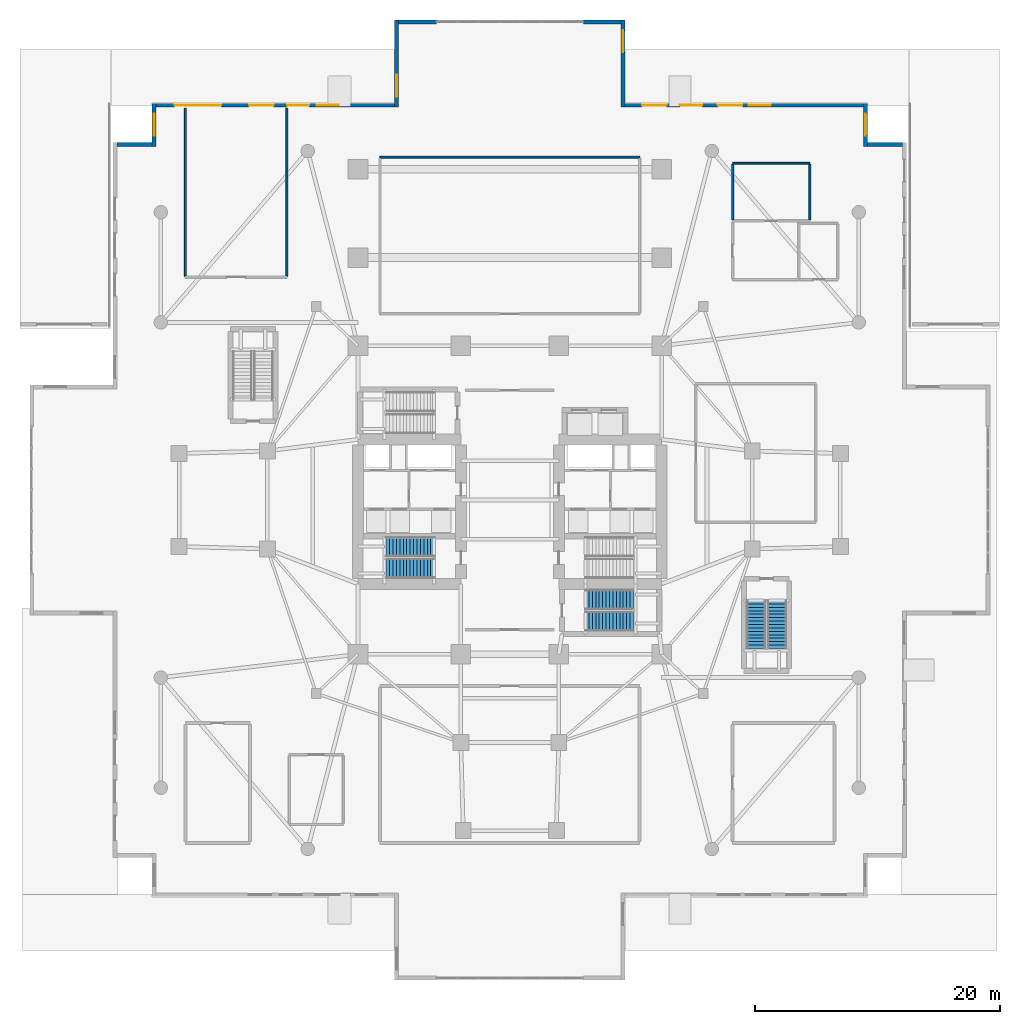
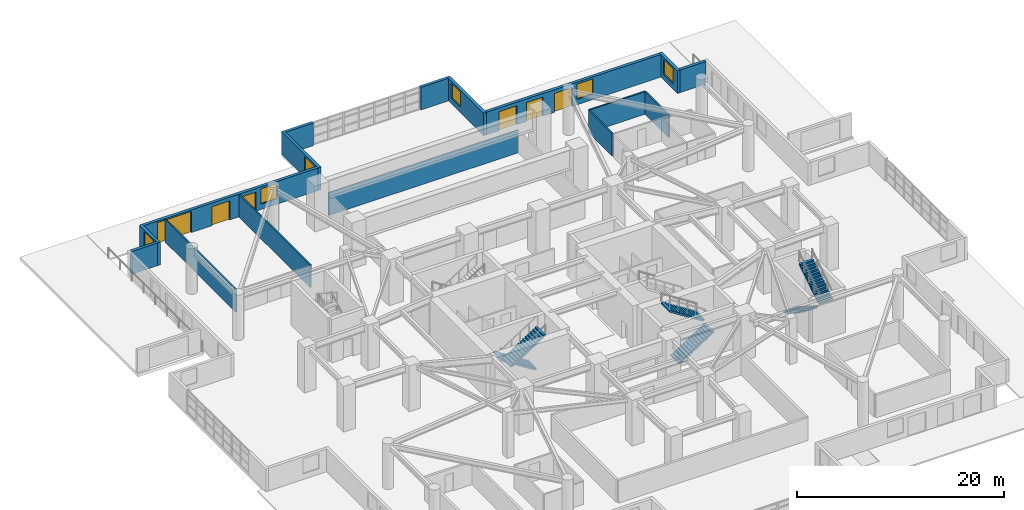
# One storey, part 17 of 24: 16 walls, 6 doors, 6 stair flights, 6 windows, 12 openings, 3 elements without a shape of their own.
"""IFC4 building model written with IfcOpenShell, lengths in metres."""

from ifc_helpers import new_model, si_unit, direction, frame, frame_2d, origin, place, context, subcontext, project, spatial, polyline, rectangle, outline, extrude, material, layer, layer_set, type_object, element, fill, aggregate, save


model = new_model("IFC4")

# Units and contexts
model_context = context("Model", 3, precision=1e-05, world=origin(), true_north=direction((0.0, 1.0)))
body_context = subcontext(model_context, "Body", "Model", "MODEL_VIEW")
ifc_project = project(units=[si_unit("LENGTHUNIT", "METRE"), si_unit("AREAUNIT", "SQUARE_METRE"), si_unit("VOLUMEUNIT", "CUBIC_METRE"), si_unit("PLANEANGLEUNIT", "RADIAN"), si_unit("MASSUNIT", "GRAM", prefix="KILO")], contexts=[model_context])

# Site, building, storey
site_placement = place(None, origin())
site = spatial("IfcSite", under=ifc_project, at=site_placement, CompositionType="ELEMENT")
building_placement = place(site_placement, origin())
building = spatial("IfcBuilding", under=site, at=building_placement, Name="Qingluan Cross Belvedere", CompositionType="ELEMENT")
storey_placement = place(building_placement, origin())
storey = spatial("IfcBuildingStorey", under=building, at=storey_placement, Name="L01", CompositionType="ELEMENT", Elevation=0.0)

# Walls
ifc_material_1 = material(Name="Gypsum plasterboard on steel stud acoustic partition", Category="steel")
ifc_layer_1 = layer(ifc_material_1, 0.159912109375, Name="CorridorPartition_160")
ifc_layer_set_1 = layer_set([ifc_layer_1], Name="Gypsum plasterboard on steel stud acoustic partition")
wall_type_1 = type_object("IfcWallType", Name="CorridorPartition_160", PredefinedType="PARTITIONING", material=ifc_layer_set_1)
wall_1_placement = place(storey_placement, frame((-10.60009765625, 28.0, 0.0), z_axis=(0.0, 0.0, 1.0), x_axis=(1.0, 0.0, 0.0)))
element("IfcWall", 1, at=wall_1_placement, inside=storey, type_object=wall_type_1, Name="Partition L01:grand_ballroom:N", PredefinedType="PARTITIONING", context=body_context, shape_type="SweptSolid", body=[
    extrude(rectangle(XDim=21.2001953125, YDim=0.159912109375, at=frame_2d((10.60009765625, 0.0))), origin(), (0.0, 0.0, 1.0), 2.669921875),
])
for number, where, z_axis, x_axis, name in (
    (2, (-26.5, 18.284912109375, 0.0), (0.0, 0.0, 1.0), (0.0, 1.0, 0.0), "Partition L01:loading_dock:W"),
    (3, (-18.199951171875, 18.284912109375, 0.0), (0.0, 0.0, 1.0), (0.0, 1.0, 0.0), "Partition L01:loading_dock:E"),
):
    element("IfcWall", number, at=place(storey_placement, frame(where, z_axis=z_axis, x_axis=x_axis)), inside=storey, type_object=wall_type_1, Name=name, PredefinedType="PARTITIONING", context=body_context, shape_type="SweptSolid", body=[
        extrude(rectangle(XDim=13.710205078125, YDim=0.159912109375, at=frame_2d((6.85498046875, 0.0))), origin(), (0.0, 0.0, 1.0), 2.669921875),
    ])
wall_2_placement = place(storey_placement, frame((18.199951171875, 27.5, 0.0), z_axis=(0.0, 0.0, 1.0), x_axis=(1.0, 0.0, 0.0)))
element("IfcWall", 4, at=wall_2_placement, inside=storey, type_object=wall_type_1, Name="Partition L01:luggage_rm:N", PredefinedType="PARTITIONING", context=body_context, shape_type="SweptSolid", body=[
    extrude(rectangle(XDim=6.300048828125, YDim=0.159912109375, at=frame_2d((3.14990234375, 0.0))), origin(), (0.0, 0.0, 1.0), 2.669921875),
])
for number, where, z_axis, x_axis, name in (
    (5, (18.199951171875, 22.885009765625, 0.0), (0.0, 0.0, 1.0), (0.0, 1.0, 0.0), "Partition L01:luggage_rm:W"),
    (6, (24.5, 22.885009765625, 0.0), (0.0, 0.0, 1.0), (0.0, 1.0, 0.0), "Partition L01:luggage_rm:E"),
):
    element("IfcWall", number, at=place(storey_placement, frame(where, z_axis=z_axis, x_axis=x_axis)), inside=storey, type_object=wall_type_1, Name=name, PredefinedType="PARTITIONING", context=body_context, shape_type="SweptSolid", body=[
        extrude(rectangle(XDim=4.530029296875, YDim=0.159912109375, at=frame_2d((2.26513671875, 0.0))), origin(), (0.0, 0.0, 1.0), 2.669921875),
    ])
ifc_material_2 = material(Name="Precast concrete C45", Category="concrete")
ifc_layer_2 = layer(ifc_material_2, 0.320068359375, Name="PrecastPodiumWall_320")
ifc_layer_set_2 = layer_set([ifc_layer_2], Name="Precast concrete C45")
wall_type_2 = type_object("IfcWallType", Name="PrecastPodiumWall_320", PredefinedType="STANDARD", material=ifc_layer_set_2)
wall_3_placement = place(storey_placement, frame((-32.080078125, 29.0400390625, 0.0), z_axis=(0.0, 0.0, 1.0), x_axis=(1.0, 0.0, 0.0)))
element("IfcWall", 7, at=wall_3_placement, inside=storey, type_object=wall_type_2, Name="Podium precast facade wall L01-S15", PredefinedType="STANDARD", context=body_context, shape_type="SweptSolid", body=[
    extrude(rectangle(XDim=2.880126953125, YDim=0.320068359375, at=frame_2d((1.43994140625, 0.0))), origin(), (0.0, 0.0, 1.0), 2.679931640625),
])

# Wall, opening, window
wall_4_placement = place(storey_placement, frame((-29.0400390625, 28.8798828125, 0.0), z_axis=(0.0, 0.0, 1.0), x_axis=(0.0, 1.0, 0.0)))
wall_4 = element("IfcWall", 8, at=wall_4_placement, inside=storey, type_object=wall_type_2, Name="Podium precast facade wall L01-S16", PredefinedType="STANDARD", context=body_context, shape_type="SweptSolid", body=[
    extrude(rectangle(XDim=3.52001953125, YDim=0.320068359375, at=frame_2d((1.760009765625, 0.0))), origin(), (0.0, 0.0, 1.0), 2.679931640625),
])
opening_1_placement = place(wall_4_placement, frame((0.85009765625, 0.0, 0.64990234375)))
opening_1 = element("IfcOpeningElement", 9, at=opening_1_placement, cuts=wall_4, Name="Opening W-06", PredefinedType="OPENING", context=body_context, shape_type="SweptSolid", body=[
    extrude(rectangle(XDim=1.800048828125, YDim=1.800048828125, at=frame_2d((0.89990234375, 0.89990234375))), frame((0.0, 0.169921875, 0.0), z_axis=(0.0, -1.0, 0.0), x_axis=(1.0, 0.0, 0.0)), (0.0, 0.0, 1.0), 0.340087890625),
])
ifc_material_3 = material(Name="Thermally broken triple Low-E glass in aluminium frame", Category="aluminium")
window_type = type_object("IfcWindowType", Name="PodiumGalleryWin_1800x1800", PartitioningType="SINGLE_PANEL", PredefinedType="WINDOW", material=ifc_material_3)
window_1_placement = place(opening_1_placement, origin())
window_1 = element("IfcWindow", 10, at=window_1_placement, inside=storey, type_object=window_type, Name="Podium gallery window L01-S16", OverallHeight=1.800048828125, OverallWidth=1.800048828125, PartitioningType="SINGLE_PANEL", PredefinedType="WINDOW", context=body_context, shape_type="SweptSolid", body=[
    extrude(rectangle(XDim=1.800048828125, YDim=1.800048828125, at=frame_2d((0.89990234375, 0.89990234375))), frame((0.0, 0.030029296875, 0.0), z_axis=(0.0, -1.0, 0.0), x_axis=(1.0, 0.0, 0.0)), (0.0, 0.0, 1.0), 0.06005859375),
])
fill(opening_1, window_1)

# Wall, openings, doors, window
wall_5_placement = place(storey_placement, frame((-28.8798828125, 32.239990234375, 0.0), z_axis=(0.0, 0.0, 1.0), x_axis=(1.0, 0.0, 0.0)))
wall_5 = element("IfcWall", 11, at=wall_5_placement, inside=storey, type_object=wall_type_2, Name="Podium precast facade wall L01-S17", PredefinedType="STANDARD", context=body_context, shape_type="SweptSolid", body=[
    extrude(rectangle(XDim=19.47998046875, YDim=0.320068359375, at=frame_2d((9.739990234375, 0.0))), origin(), (0.0, 0.0, 1.0), 2.679931640625),
])
opening_2_placement = place(wall_5_placement, frame((1.5, 0.0, 0.0)))
opening_2 = element("IfcOpeningElement", 12, at=opening_2_placement, cuts=wall_5, Name="Opening LG-38", PredefinedType="OPENING", context=body_context, shape_type="SweptSolid", body=[
    extrude(rectangle(XDim=3.800048828125, YDim=2.5, at=frame_2d((1.89990234375, 1.25))), frame((0.0, 0.169921875, 0.0), z_axis=(0.0, -1.0, 0.0), x_axis=(1.0, 0.0, 0.0)), (0.0, 0.0, 1.0), 0.340087890625),
])
opening_3_placement = place(wall_5_placement, frame((7.60009765625, 0.0, 0.0)))
opening_3 = element("IfcOpeningElement", 13, at=opening_3_placement, cuts=wall_5, Name="Opening ED-20", PredefinedType="OPENING", context=body_context, shape_type="SweptSolid", body=[
    extrude(rectangle(XDim=2.0, YDim=2.25, at=frame_2d((1.0, 1.125))), frame((0.0, 0.169921875, 0.0), z_axis=(0.0, -1.0, 0.0), x_axis=(1.0, 0.0, 0.0)), (0.0, 0.0, 1.0), 0.340087890625),
])
opening_4_placement = place(wall_5_placement, frame((10.699951171875, 0.0, 0.0)))
opening_4 = element("IfcOpeningElement", 14, at=opening_4_placement, cuts=wall_5, Name="Opening ED-18", PredefinedType="OPENING", context=body_context, shape_type="SweptSolid", body=[
    extrude(rectangle(XDim=1.800048828125, YDim=2.25, at=frame_2d((0.89990234375, 1.125))), frame((0.0, 0.169921875, 0.0), z_axis=(0.0, -1.0, 0.0), x_axis=(1.0, 0.0, 0.0)), (0.0, 0.0, 1.0), 0.340087890625),
])
opening_5_placement = place(wall_5_placement, frame((13.10009765625, 0.0, 0.64990234375)))
opening_5 = element("IfcOpeningElement", 15, at=opening_5_placement, cuts=wall_5, Name="Opening W-06", PredefinedType="OPENING", context=body_context, shape_type="SweptSolid", body=[
    extrude(rectangle(XDim=1.800048828125, YDim=1.800048828125, at=frame_2d((0.89990234375, 0.89990234375))), frame((0.0, 0.169921875, 0.0), z_axis=(0.0, -1.0, 0.0), x_axis=(1.0, 0.0, 0.0)), (0.0, 0.0, 1.0), 0.340087890625),
])
ifc_material_4 = material(Name="Anodised aluminium and toughened safety glass", Category="aluminium")
door_type_1 = type_object("IfcDoorType", Name="GroundExitDoubleDoor_1800", OperationType="DOUBLE_DOOR_SINGLE_SWING", PredefinedType="DOOR", material=ifc_material_4)
door_1_placement = place(opening_4_placement, origin())
door_1 = element("IfcDoor", 16, at=door_1_placement, inside=storey, type_object=door_type_1, Name="Ground pedestrian final exit door ED-14", OperationType="DOUBLE_DOOR_SINGLE_SWING", OverallHeight=2.25, OverallWidth=1.800048828125, PredefinedType="DOOR", context=body_context, shape_type="SweptSolid", body=[
    extrude(rectangle(XDim=1.800048828125, YDim=2.25, at=frame_2d((0.89990234375, 1.125))), frame((0.0, 0.02490234375, 0.0), z_axis=(0.0, -1.0, 0.0), x_axis=(1.0, 0.0, 0.0)), (0.0, 0.0, 1.0), 0.050048828125),
])
fill(opening_4, door_1)
ifc_material_5 = material(Name="Anodised aluminium and toughened safety glass", Category="aluminium")
door_type_2 = type_object("IfcDoorType", Name="GroundExitDoubleDoor_2000", OperationType="DOUBLE_DOOR_SINGLE_SWING", PredefinedType="DOOR", material=ifc_material_5)
door_2_placement = place(opening_3_placement, origin())
door_2 = element("IfcDoor", 17, at=door_2_placement, inside=storey, type_object=door_type_2, Name="Ground pedestrian final exit door ED-13", OperationType="DOUBLE_DOOR_SINGLE_SWING", OverallHeight=2.25, OverallWidth=2.0, PredefinedType="DOOR", context=body_context, shape_type="SweptSolid", body=[
    extrude(rectangle(XDim=2.0, YDim=2.25, at=frame_2d((1.0, 1.125))), frame((0.0, 0.02490234375, 0.0), z_axis=(0.0, -1.0, 0.0), x_axis=(1.0, 0.0, 0.0)), (0.0, 0.0, 1.0), 0.050048828125),
])
fill(opening_3, door_2)
ifc_material_6 = material(Name="Insulated galvanized steel roller shutter", Category="steel")
door_type_3 = type_object("IfcDoorType", Name="LoadingDockShutter_3800", OperationType="ROLLINGUP", PredefinedType="GATE", material=ifc_material_6)
door_3_placement = place(opening_2_placement, origin())
door_3 = element("IfcDoor", 18, at=door_3_placement, inside=storey, type_object=door_type_3, Name="Loading dock vehicle roller shutter LG-01", OperationType="ROLLINGUP", OverallHeight=2.5, OverallWidth=3.800048828125, PredefinedType="GATE", context=body_context, shape_type="SweptSolid", body=[
    extrude(rectangle(XDim=3.800048828125, YDim=2.5, at=frame_2d((1.89990234375, 1.25))), frame((0.0, 0.02490234375, 0.0), z_axis=(0.0, -1.0, 0.0), x_axis=(1.0, 0.0, 0.0)), (0.0, 0.0, 1.0), 0.050048828125),
])
fill(opening_2, door_3)
window_2_placement = place(opening_5_placement, origin())
window_2 = element("IfcWindow", 19, at=window_2_placement, inside=storey, type_object=window_type, Name="Podium gallery window L01-S17", OverallHeight=1.800048828125, OverallWidth=1.800048828125, PartitioningType="SINGLE_PANEL", PredefinedType="WINDOW", context=body_context, shape_type="SweptSolid", body=[
    extrude(rectangle(XDim=1.800048828125, YDim=1.800048828125, at=frame_2d((0.89990234375, 0.89990234375))), frame((0.0, 0.030029296875, 0.0), z_axis=(0.0, -1.0, 0.0), x_axis=(1.0, 0.0, 0.0)), (0.0, 0.0, 1.0), 0.06005859375),
])
fill(opening_5, window_2)

# Wall, opening, window
wall_6_placement = place(storey_placement, frame((-9.239990234375, 32.080078125, 0.0), z_axis=(0.0, 0.0, 1.0), x_axis=(0.0, 1.0, 0.0)))
wall_6 = element("IfcWall", 20, at=wall_6_placement, inside=storey, type_object=wall_type_2, Name="Podium precast facade wall L01-S18", PredefinedType="STANDARD", context=body_context, shape_type="SweptSolid", body=[
    extrude(rectangle(XDim=7.119873046875, YDim=0.320068359375, at=frame_2d((3.56005859375, 0.0))), origin(), (0.0, 0.0, 1.0), 2.679931640625),
])
opening_6_placement = place(wall_6_placement, frame((0.85009765625, 0.0, 0.64990234375)))
opening_6 = element("IfcOpeningElement", 21, at=opening_6_placement, cuts=wall_6, Name="Opening W-06", PredefinedType="OPENING", context=body_context, shape_type="SweptSolid", body=[
    extrude(rectangle(XDim=1.800048828125, YDim=1.800048828125, at=frame_2d((0.89990234375, 0.89990234375))), frame((0.0, 0.169921875, 0.0), z_axis=(0.0, -1.0, 0.0), x_axis=(1.0, 0.0, 0.0)), (0.0, 0.0, 1.0), 0.340087890625),
])
window_3_placement = place(opening_6_placement, origin())
window_3 = element("IfcWindow", 22, at=window_3_placement, inside=storey, type_object=window_type, Name="Podium gallery window L01-S18", OverallHeight=1.800048828125, OverallWidth=1.800048828125, PartitioningType="SINGLE_PANEL", PredefinedType="WINDOW", context=body_context, shape_type="SweptSolid", body=[
    extrude(rectangle(XDim=1.800048828125, YDim=1.800048828125, at=frame_2d((0.89990234375, 0.89990234375))), frame((0.0, 0.030029296875, 0.0), z_axis=(0.0, -1.0, 0.0), x_axis=(1.0, 0.0, 0.0)), (0.0, 0.0, 1.0), 0.06005859375),
])
fill(opening_6, window_3)

# Walls
for number, where, z_axis, x_axis, name in (
    (23, (-9.080078125, 39.0400390625, 0.0), (0.0, 0.0, 1.0), (1.0, 0.0, 0.0), "Podium portal pier L01-P3JA"),
    (24, (6.0, 39.0400390625, 0.0), (0.0, 0.0, 1.0), (1.0, 0.0, 0.0), "Podium portal pier L01-P3JB"),
):
    element("IfcWall", number, at=place(storey_placement, frame(where, z_axis=z_axis, x_axis=x_axis)), inside=storey, type_object=wall_type_2, Name=name, PredefinedType="STANDARD", context=body_context, shape_type="SweptSolid", body=[
        extrude(rectangle(XDim=3.080078125, YDim=0.320068359375, at=frame_2d((1.5400390625, 0.0))), origin(), (0.0, 0.0, 1.0), 2.679931640625),
    ])

# Wall, opening, window
wall_7_placement = place(storey_placement, frame((9.239990234375, 39.199951171875, 0.0), z_axis=(0.0, 0.0, 1.0), x_axis=(0.0, -1.0, 0.0)))
wall_7 = element("IfcWall", 25, at=wall_7_placement, inside=storey, type_object=wall_type_2, Name="Podium precast facade wall L01-S21", PredefinedType="STANDARD", context=body_context, shape_type="SweptSolid", body=[
    extrude(rectangle(XDim=7.119873046875, YDim=0.320068359375, at=frame_2d((3.56005859375, 0.0))), origin(), (0.0, 0.0, 1.0), 2.679931640625),
])
opening_7_placement = place(wall_7_placement, frame((0.85009765625, 0.0, 0.64990234375)))
opening_7 = element("IfcOpeningElement", 26, at=opening_7_placement, cuts=wall_7, Name="Opening W-06", PredefinedType="OPENING", context=body_context, shape_type="SweptSolid", body=[
    extrude(rectangle(XDim=1.800048828125, YDim=1.800048828125, at=frame_2d((0.89990234375, 0.89990234375))), frame((0.0, 0.169921875, 0.0), z_axis=(0.0, -1.0, 0.0), x_axis=(1.0, 0.0, 0.0)), (0.0, 0.0, 1.0), 0.340087890625),
])
window_4_placement = place(opening_7_placement, origin())
window_4 = element("IfcWindow", 27, at=window_4_placement, inside=storey, type_object=window_type, Name="Podium gallery window L01-S21", OverallHeight=1.800048828125, OverallWidth=1.800048828125, PartitioningType="SINGLE_PANEL", PredefinedType="WINDOW", context=body_context, shape_type="SweptSolid", body=[
    extrude(rectangle(XDim=1.800048828125, YDim=1.800048828125, at=frame_2d((0.89990234375, 0.89990234375))), frame((0.0, 0.030029296875, 0.0), z_axis=(0.0, -1.0, 0.0), x_axis=(1.0, 0.0, 0.0)), (0.0, 0.0, 1.0), 0.06005859375),
])
fill(opening_7, window_4)

# Wall, openings, doors, window
wall_8_placement = place(storey_placement, frame((9.39990234375, 32.239990234375, 0.0), z_axis=(0.0, 0.0, 1.0), x_axis=(1.0, 0.0, 0.0)))
wall_8 = element("IfcWall", 28, at=wall_8_placement, inside=storey, type_object=wall_type_2, Name="Podium precast facade wall L01-S22", PredefinedType="STANDARD", context=body_context, shape_type="SweptSolid", body=[
    extrude(rectangle(XDim=19.47998046875, YDim=0.320068359375, at=frame_2d((9.739990234375, 0.0))), origin(), (0.0, 0.0, 1.0), 2.679931640625),
])
opening_8_placement = place(wall_8_placement, frame((1.39990234375, 0.0, 0.0)))
opening_8 = element("IfcOpeningElement", 29, at=opening_8_placement, cuts=wall_8, Name="Opening ED-20", PredefinedType="OPENING", context=body_context, shape_type="SweptSolid", body=[
    extrude(rectangle(XDim=2.0, YDim=2.25, at=frame_2d((1.0, 1.125))), frame((0.0, 0.169921875, 0.0), z_axis=(0.0, -1.0, 0.0), x_axis=(1.0, 0.0, 0.0)), (0.0, 0.0, 1.0), 0.340087890625),
])
opening_9_placement = place(wall_8_placement, frame((4.5, 0.0, 0.0)))
opening_9 = element("IfcOpeningElement", 30, at=opening_9_placement, cuts=wall_8, Name="Opening ED-18", PredefinedType="OPENING", context=body_context, shape_type="SweptSolid", body=[
    extrude(rectangle(XDim=1.800048828125, YDim=2.25, at=frame_2d((0.89990234375, 1.125))), frame((0.0, 0.169921875, 0.0), z_axis=(0.0, -1.0, 0.0), x_axis=(1.0, 0.0, 0.0)), (0.0, 0.0, 1.0), 0.340087890625),
])
opening_10_placement = place(wall_8_placement, frame((7.60009765625, 0.0, 0.0)))
opening_10 = element("IfcOpeningElement", 31, at=opening_10_placement, cuts=wall_8, Name="Opening ED-20", PredefinedType="OPENING", context=body_context, shape_type="SweptSolid", body=[
    extrude(rectangle(XDim=2.0, YDim=2.25, at=frame_2d((1.0, 1.125))), frame((0.0, 0.169921875, 0.0), z_axis=(0.0, -1.0, 0.0), x_axis=(1.0, 0.0, 0.0)), (0.0, 0.0, 1.0), 0.340087890625),
])
opening_11_placement = place(wall_8_placement, frame((10.10009765625, 0.0, 0.64990234375)))
opening_11 = element("IfcOpeningElement", 32, at=opening_11_placement, cuts=wall_8, Name="Opening W-06", PredefinedType="OPENING", context=body_context, shape_type="SweptSolid", body=[
    extrude(rectangle(XDim=1.800048828125, YDim=1.800048828125, at=frame_2d((0.89990234375, 0.89990234375))), frame((0.0, 0.169921875, 0.0), z_axis=(0.0, -1.0, 0.0), x_axis=(1.0, 0.0, 0.0)), (0.0, 0.0, 1.0), 0.340087890625),
])
door_4_placement = place(opening_9_placement, origin())
door_4 = element("IfcDoor", 33, at=door_4_placement, inside=storey, type_object=door_type_1, Name="Ground pedestrian final exit door ED-16", OperationType="DOUBLE_DOOR_SINGLE_SWING", OverallHeight=2.25, OverallWidth=1.800048828125, PredefinedType="DOOR", context=body_context, shape_type="SweptSolid", body=[
    extrude(rectangle(XDim=1.800048828125, YDim=2.25, at=frame_2d((0.89990234375, 1.125))), frame((0.0, 0.02490234375, 0.0), z_axis=(0.0, -1.0, 0.0), x_axis=(1.0, 0.0, 0.0)), (0.0, 0.0, 1.0), 0.050048828125),
])
fill(opening_9, door_4)
door_5_placement = place(opening_8_placement, origin())
door_5 = element("IfcDoor", 34, at=door_5_placement, inside=storey, type_object=door_type_2, Name="Ground pedestrian final exit door ED-15", OperationType="DOUBLE_DOOR_SINGLE_SWING", OverallHeight=2.25, OverallWidth=2.0, PredefinedType="DOOR", context=body_context, shape_type="SweptSolid", body=[
    extrude(rectangle(XDim=2.0, YDim=2.25, at=frame_2d((1.0, 1.125))), frame((0.0, 0.02490234375, 0.0), z_axis=(0.0, -1.0, 0.0), x_axis=(1.0, 0.0, 0.0)), (0.0, 0.0, 1.0), 0.050048828125),
])
fill(opening_8, door_5)
door_6_placement = place(opening_10_placement, origin())
door_6 = element("IfcDoor", 35, at=door_6_placement, inside=storey, type_object=door_type_2, Name="Ground pedestrian final exit door ED-17", OperationType="DOUBLE_DOOR_SINGLE_SWING", OverallHeight=2.25, OverallWidth=2.0, PredefinedType="DOOR", context=body_context, shape_type="SweptSolid", body=[
    extrude(rectangle(XDim=2.0, YDim=2.25, at=frame_2d((1.0, 1.125))), frame((0.0, 0.02490234375, 0.0), z_axis=(0.0, -1.0, 0.0), x_axis=(1.0, 0.0, 0.0)), (0.0, 0.0, 1.0), 0.050048828125),
])
fill(opening_10, door_6)
window_5_placement = place(opening_11_placement, origin())
window_5 = element("IfcWindow", 36, at=window_5_placement, inside=storey, type_object=window_type, Name="Podium gallery window L01-S22", OverallHeight=1.800048828125, OverallWidth=1.800048828125, PartitioningType="SINGLE_PANEL", PredefinedType="WINDOW", context=body_context, shape_type="SweptSolid", body=[
    extrude(rectangle(XDim=1.800048828125, YDim=1.800048828125, at=frame_2d((0.89990234375, 0.89990234375))), frame((0.0, 0.030029296875, 0.0), z_axis=(0.0, -1.0, 0.0), x_axis=(1.0, 0.0, 0.0)), (0.0, 0.0, 1.0), 0.06005859375),
])
fill(opening_11, window_5)

# Wall, opening, window
wall_9_placement = place(storey_placement, frame((29.0400390625, 32.39990234375, 0.0), z_axis=(0.0, 0.0, 1.0), x_axis=(0.0, -1.0, 0.0)))
wall_9 = element("IfcWall", 37, at=wall_9_placement, inside=storey, type_object=wall_type_2, Name="Podium precast facade wall L01-S23", PredefinedType="STANDARD", context=body_context, shape_type="SweptSolid", body=[
    extrude(rectangle(XDim=3.52001953125, YDim=0.320068359375, at=frame_2d((1.760009765625, 0.0))), origin(), (0.0, 0.0, 1.0), 2.679931640625),
])
opening_12_placement = place(wall_9_placement, frame((0.85009765625, 0.0, 0.64990234375)))
opening_12 = element("IfcOpeningElement", 38, at=opening_12_placement, cuts=wall_9, Name="Opening W-06", PredefinedType="OPENING", context=body_context, shape_type="SweptSolid", body=[
    extrude(rectangle(XDim=1.800048828125, YDim=1.800048828125, at=frame_2d((0.89990234375, 0.89990234375))), frame((0.0, 0.169921875, 0.0), z_axis=(0.0, -1.0, 0.0), x_axis=(1.0, 0.0, 0.0)), (0.0, 0.0, 1.0), 0.340087890625),
])
window_6_placement = place(opening_12_placement, origin())
window_6 = element("IfcWindow", 39, at=window_6_placement, inside=storey, type_object=window_type, Name="Podium gallery window L01-S23", OverallHeight=1.800048828125, OverallWidth=1.800048828125, PartitioningType="SINGLE_PANEL", PredefinedType="WINDOW", context=body_context, shape_type="SweptSolid", body=[
    extrude(rectangle(XDim=1.800048828125, YDim=1.800048828125, at=frame_2d((0.89990234375, 0.89990234375))), frame((0.0, 0.030029296875, 0.0), z_axis=(0.0, -1.0, 0.0), x_axis=(1.0, 0.0, 0.0)), (0.0, 0.0, 1.0), 0.06005859375),
])
fill(opening_12, window_6)

# Wall
wall_10_placement = place(storey_placement, frame((29.199951171875, 29.0400390625, 0.0), z_axis=(0.0, 0.0, 1.0), x_axis=(1.0, 0.0, 0.0)))
element("IfcWall", 40, at=wall_10_placement, inside=storey, type_object=wall_type_2, Name="Podium precast facade wall L01-S24", PredefinedType="STANDARD", context=body_context, shape_type="SweptSolid", body=[
    extrude(rectangle(XDim=2.880126953125, YDim=0.320068359375, at=frame_2d((1.43994140625, 0.0))), origin(), (0.0, 0.0, 1.0), 2.679931640625),
])

# Stair, stair flights
ifc_material_7 = material(Name="Concrete C40", Category="concrete")
stair_type_1 = type_object("IfcStairType", Name="PodiumExitStair_1550", PredefinedType="HALF_TURN_STAIR", material=ifc_material_7)
stair_1_placement = place(storey_placement, origin())
stair_1 = element("IfcStair", 41, at=stair_1_placement, inside=storey, type_object=stair_type_1, Name="L01 ST6", PredefinedType="HALF_TURN_STAIR")
ifc_material_8 = material(Name="Concrete C40", Category="concrete")
ifc_layer_3 = layer(ifc_material_8, 0.179931640625, Name="PodiumStairFlight_RC180")
ifc_layer_set_3 = layer_set([ifc_layer_3], Name="Concrete C40")
stair_flight_type_1 = type_object("IfcStairFlightType", Name="PodiumStairFlight_RC180", PredefinedType="STRAIGHT", material=ifc_layer_set_3)
stair_flight_1_placement = place(storey_placement, frame((20.114990234375, -8.2099609375, 0.0), z_axis=(0.0, 0.0, 1.0), x_axis=(0.0, -1.0, 0.0)))
stair_flight_1 = element("IfcStairFlight", 42, at=stair_flight_1_placement, type_object=stair_flight_type_1, Name="ST6 flight 1", NumberOfRisers=15, NumberOfTreads=14, PredefinedType="STRAIGHT", RiserHeight=0.18, TreadLength=0.28, context=body_context, shape_type="SweptSolid", body=[
    extrude(outline(polyline([(0.0, 0.0), (0.0, 0.179931640625), (0.280029296875, 0.179931640625), (0.280029296875, 0.360107421875), (0.56005859375, 0.360107421875), (0.56005859375, 0.5400390625), (0.840087890625, 0.5400390625), (0.840087890625, 0.719970703125), (1.1201171875, 0.719970703125), (1.1201171875, 0.89990234375), (1.39990234375, 0.89990234375), (1.39990234375, 1.080078125), (1.679931640625, 1.080078125), (1.679931640625, 1.260009765625), (1.9599609375, 1.260009765625), (1.9599609375, 1.43994140625), (2.239990234375, 1.43994140625), (2.239990234375, 1.6201171875), (2.52001953125, 1.6201171875), (2.52001953125, 1.800048828125), (2.800048828125, 1.800048828125), (2.800048828125, 1.97998046875), (3.080078125, 1.97998046875), (3.080078125, 2.159912109375), (3.360107421875, 2.159912109375), (3.360107421875, 2.340087890625), (3.639892578125, 2.340087890625), (3.639892578125, 2.52001953125), (3.919921875, 2.52001953125), (3.919921875, 2.699951171875), (3.919921875, 2.341796875), (0.277099609375, 0.0), (0.0, 0.0)])), frame((0.0, 0.77490234375, 0.0), z_axis=(0.0, -1.0, 0.0), x_axis=(1.0, 0.0, 0.0)), (0.0, 0.0, 1.0), 1.550048828125),
])
stair_flight_2_placement = place(storey_placement, frame((21.824951171875, -12.1298828125, 2.699951171875), z_axis=(0.0, 0.0, 1.0), x_axis=(0.0, 1.0, 0.0)))
stair_flight_2 = element("IfcStairFlight", 43, at=stair_flight_2_placement, type_object=stair_flight_type_1, Name="ST6 flight 2", NumberOfRisers=15, NumberOfTreads=14, PredefinedType="STRAIGHT", RiserHeight=0.18, TreadLength=0.28, context=body_context, shape_type="SweptSolid", body=[
    extrude(outline(polyline([(0.0, 0.0), (0.0, 0.179931640625), (0.280029296875, 0.179931640625), (0.280029296875, 0.360107421875), (0.56005859375, 0.360107421875), (0.56005859375, 0.5400390625), (0.840087890625, 0.5400390625), (0.840087890625, 0.719970703125), (1.1201171875, 0.719970703125), (1.1201171875, 0.89990234375), (1.39990234375, 0.89990234375), (1.39990234375, 1.080078125), (1.679931640625, 1.080078125), (1.679931640625, 1.260009765625), (1.9599609375, 1.260009765625), (1.9599609375, 1.43994140625), (2.239990234375, 1.43994140625), (2.239990234375, 1.6201171875), (2.52001953125, 1.6201171875), (2.52001953125, 1.800048828125), (2.800048828125, 1.800048828125), (2.800048828125, 1.97998046875), (3.080078125, 1.97998046875), (3.080078125, 2.159912109375), (3.360107421875, 2.159912109375), (3.360107421875, 2.340087890625), (3.639892578125, 2.340087890625), (3.639892578125, 2.52001953125), (3.919921875, 2.52001953125), (3.919921875, 2.699951171875), (3.919921875, 2.341796875), (0.277099609375, 0.0), (0.0, 0.0)])), frame((0.0, 0.77490234375, 0.0), z_axis=(0.0, -1.0, 0.0), x_axis=(1.0, 0.0, 0.0)), (0.0, 0.0, 1.0), 1.550048828125),
])
aggregate(stair_1, [stair_flight_1, stair_flight_2])

ifc_material_9 = material(Name="Concrete C40", Category="concrete")
stair_type_2 = type_object("IfcStairType", Name="CoreDoglegStair_1620", PredefinedType="HALF_TURN_STAIR", material=ifc_material_9)
stair_2_placement = place(storey_placement, origin())
stair_2 = element("IfcStair", 44, at=stair_2_placement, inside=storey, type_object=stair_type_2, Name="L01 ST1", PredefinedType="HALF_TURN_STAIR")
ifc_material_10 = material(Name="Concrete C40", Category="concrete")
ifc_layer_4 = layer(ifc_material_10, 0.179931640625, Name="StairFlight_RC180")
ifc_layer_set_4 = layer_set([ifc_layer_4], Name="Concrete C40")
stair_flight_type_2 = type_object("IfcStairFlightType", Name="StairFlight_RC180", PredefinedType="STRAIGHT", material=ifc_layer_set_4)
stair_flight_3_placement = place(storey_placement, frame((-6.179931640625, -3.81005859375, 0.0), z_axis=(0.0, 0.0, 1.0), x_axis=(-1.0, 0.0, 0.0)))
stair_flight_3 = element("IfcStairFlight", 45, at=stair_flight_3_placement, type_object=stair_flight_type_2, Name="ST1 flight 1", NumberOfRisers=15, NumberOfTreads=14, PredefinedType="STRAIGHT", RiserHeight=0.18, TreadLength=0.28, context=body_context, shape_type="SweptSolid", body=[
    extrude(outline(polyline([(0.0, 0.0), (0.0, 0.179931640625), (0.280029296875, 0.179931640625), (0.280029296875, 0.360107421875), (0.56005859375, 0.360107421875), (0.56005859375, 0.5400390625), (0.840087890625, 0.5400390625), (0.840087890625, 0.719970703125), (1.1201171875, 0.719970703125), (1.1201171875, 0.89990234375), (1.39990234375, 0.89990234375), (1.39990234375, 1.080078125), (1.679931640625, 1.080078125), (1.679931640625, 1.260009765625), (1.9599609375, 1.260009765625), (1.9599609375, 1.43994140625), (2.239990234375, 1.43994140625), (2.239990234375, 1.6201171875), (2.52001953125, 1.6201171875), (2.52001953125, 1.800048828125), (2.800048828125, 1.800048828125), (2.800048828125, 1.97998046875), (3.080078125, 1.97998046875), (3.080078125, 2.159912109375), (3.360107421875, 2.159912109375), (3.360107421875, 2.340087890625), (3.639892578125, 2.340087890625), (3.639892578125, 2.52001953125), (3.919921875, 2.52001953125), (3.919921875, 2.699951171875), (3.919921875, 2.341796875), (0.277099609375, 0.0), (0.0, 0.0)])), frame((0.0, 0.81005859375, 0.0), z_axis=(0.0, -1.0, 0.0), x_axis=(1.0, 0.0, 0.0)), (0.0, 0.0, 1.0), 1.6201171875),
])
stair_flight_4_placement = place(storey_placement, frame((-10.10009765625, -5.590087890625, 2.699951171875), z_axis=(0.0, 0.0, 1.0), x_axis=(1.0, 0.0, 0.0)))
stair_flight_4 = element("IfcStairFlight", 46, at=stair_flight_4_placement, type_object=stair_flight_type_2, Name="ST1 flight 2", NumberOfRisers=15, NumberOfTreads=14, PredefinedType="STRAIGHT", RiserHeight=0.18, TreadLength=0.28, context=body_context, shape_type="SweptSolid", body=[
    extrude(outline(polyline([(0.0, 0.0), (0.0, 0.179931640625), (0.280029296875, 0.179931640625), (0.280029296875, 0.360107421875), (0.56005859375, 0.360107421875), (0.56005859375, 0.5400390625), (0.840087890625, 0.5400390625), (0.840087890625, 0.719970703125), (1.1201171875, 0.719970703125), (1.1201171875, 0.89990234375), (1.39990234375, 0.89990234375), (1.39990234375, 1.080078125), (1.679931640625, 1.080078125), (1.679931640625, 1.260009765625), (1.9599609375, 1.260009765625), (1.9599609375, 1.43994140625), (2.239990234375, 1.43994140625), (2.239990234375, 1.6201171875), (2.52001953125, 1.6201171875), (2.52001953125, 1.800048828125), (2.800048828125, 1.800048828125), (2.800048828125, 1.97998046875), (3.080078125, 1.97998046875), (3.080078125, 2.159912109375), (3.360107421875, 2.159912109375), (3.360107421875, 2.340087890625), (3.639892578125, 2.340087890625), (3.639892578125, 2.52001953125), (3.919921875, 2.52001953125), (3.919921875, 2.699951171875), (3.919921875, 2.341796875), (0.277099609375, 0.0), (0.0, 0.0)])), frame((0.0, 0.81005859375, 0.0), z_axis=(0.0, -1.0, 0.0), x_axis=(1.0, 0.0, 0.0)), (0.0, 0.0, 1.0), 1.6201171875),
])
aggregate(stair_2, [stair_flight_3, stair_flight_4])

stair_3_placement = place(storey_placement, origin())
stair_3 = element("IfcStair", 47, at=stair_3_placement, inside=storey, type_object=stair_type_2, Name="L01 ST4", PredefinedType="HALF_TURN_STAIR")
stair_flight_5_placement = place(storey_placement, frame((6.179931640625, -9.909912109375, 0.0), z_axis=(0.0, 0.0, 1.0), x_axis=(1.0, 0.0, 0.0)))
stair_flight_5 = element("IfcStairFlight", 48, at=stair_flight_5_placement, type_object=stair_flight_type_2, Name="ST4 flight 1", NumberOfRisers=15, NumberOfTreads=14, PredefinedType="STRAIGHT", RiserHeight=0.18, TreadLength=0.28, context=body_context, shape_type="SweptSolid", body=[
    extrude(outline(polyline([(0.0, 0.0), (0.0, 0.179931640625), (0.280029296875, 0.179931640625), (0.280029296875, 0.360107421875), (0.56005859375, 0.360107421875), (0.56005859375, 0.5400390625), (0.840087890625, 0.5400390625), (0.840087890625, 0.719970703125), (1.1201171875, 0.719970703125), (1.1201171875, 0.89990234375), (1.39990234375, 0.89990234375), (1.39990234375, 1.080078125), (1.679931640625, 1.080078125), (1.679931640625, 1.260009765625), (1.9599609375, 1.260009765625), (1.9599609375, 1.43994140625), (2.239990234375, 1.43994140625), (2.239990234375, 1.6201171875), (2.52001953125, 1.6201171875), (2.52001953125, 1.800048828125), (2.800048828125, 1.800048828125), (2.800048828125, 1.97998046875), (3.080078125, 1.97998046875), (3.080078125, 2.159912109375), (3.360107421875, 2.159912109375), (3.360107421875, 2.340087890625), (3.639892578125, 2.340087890625), (3.639892578125, 2.52001953125), (3.919921875, 2.52001953125), (3.919921875, 2.699951171875), (3.919921875, 2.341796875), (0.277099609375, 0.0), (0.0, 0.0)])), frame((0.0, 0.81005859375, 0.0), z_axis=(0.0, -1.0, 0.0), x_axis=(1.0, 0.0, 0.0)), (0.0, 0.0, 1.0), 1.6201171875),
])
stair_flight_6_placement = place(storey_placement, frame((10.10009765625, -8.1298828125, 2.699951171875), z_axis=(0.0, 0.0, 1.0), x_axis=(-1.0, 0.0, 0.0)))
stair_flight_6 = element("IfcStairFlight", 49, at=stair_flight_6_placement, type_object=stair_flight_type_2, Name="ST4 flight 2", NumberOfRisers=15, NumberOfTreads=14, PredefinedType="STRAIGHT", RiserHeight=0.18, TreadLength=0.28, context=body_context, shape_type="SweptSolid", body=[
    extrude(outline(polyline([(0.0, 0.0), (0.0, 0.179931640625), (0.280029296875, 0.179931640625), (0.280029296875, 0.360107421875), (0.56005859375, 0.360107421875), (0.56005859375, 0.5400390625), (0.840087890625, 0.5400390625), (0.840087890625, 0.719970703125), (1.1201171875, 0.719970703125), (1.1201171875, 0.89990234375), (1.39990234375, 0.89990234375), (1.39990234375, 1.080078125), (1.679931640625, 1.080078125), (1.679931640625, 1.260009765625), (1.9599609375, 1.260009765625), (1.9599609375, 1.43994140625), (2.239990234375, 1.43994140625), (2.239990234375, 1.6201171875), (2.52001953125, 1.6201171875), (2.52001953125, 1.800048828125), (2.800048828125, 1.800048828125), (2.800048828125, 1.97998046875), (3.080078125, 1.97998046875), (3.080078125, 2.159912109375), (3.360107421875, 2.159912109375), (3.360107421875, 2.340087890625), (3.639892578125, 2.340087890625), (3.639892578125, 2.52001953125), (3.919921875, 2.52001953125), (3.919921875, 2.699951171875), (3.919921875, 2.341796875), (0.277099609375, 0.0), (0.0, 0.0)])), frame((0.0, 0.81005859375, 0.0), z_axis=(0.0, -1.0, 0.0), x_axis=(1.0, 0.0, 0.0)), (0.0, 0.0, 1.0), 1.6201171875),
])
aggregate(stair_3, [stair_flight_5, stair_flight_6])

save(model, "model.ifc")
